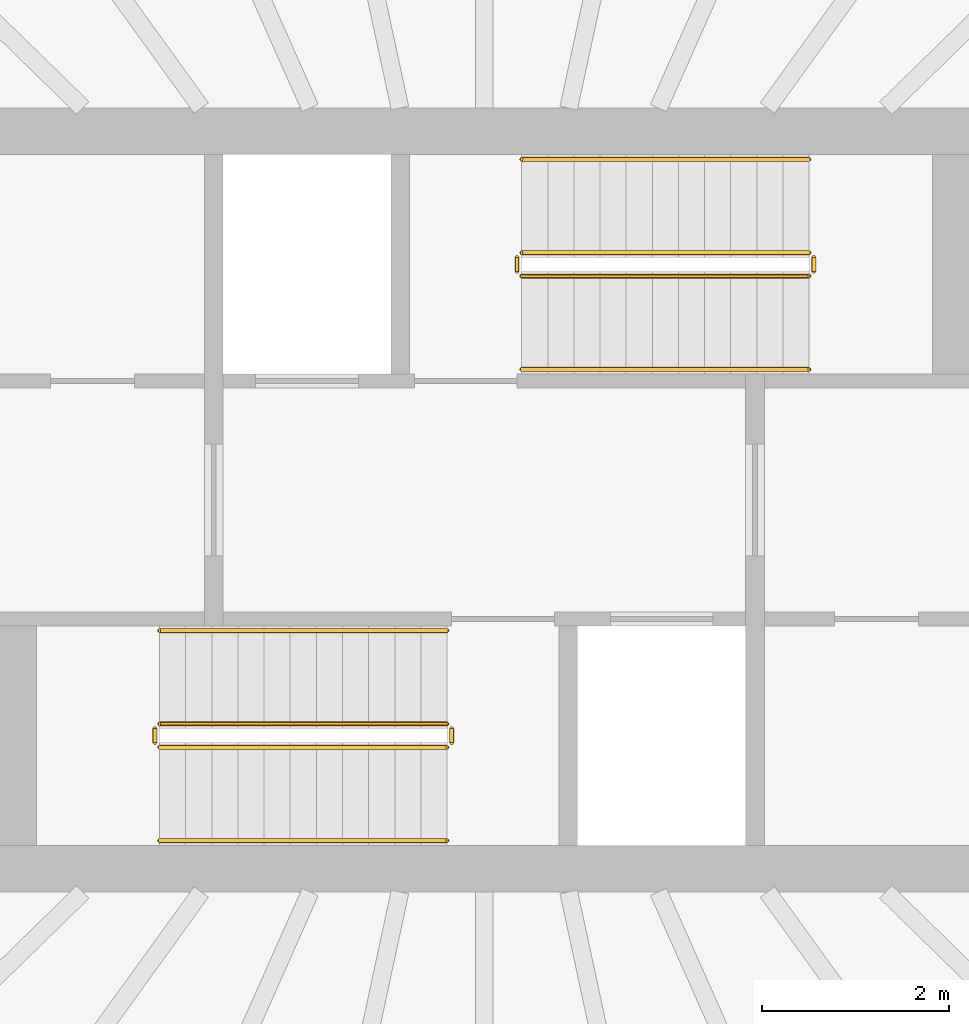
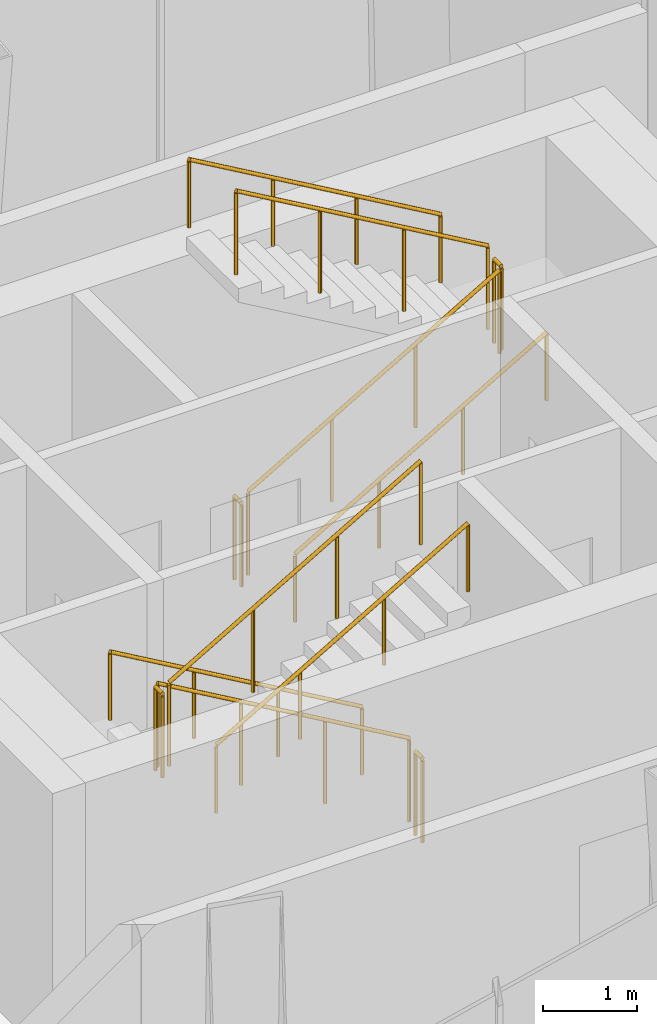
# One storey, part 5 of 5: 12 railings.
"""IFC4 building model written with IfcOpenShell, lengths in metres."""

from ifc_helpers import new_model, si_unit, direction, frame, origin, origin_2d, place, context, subcontext, project, spatial, circle, extrude, material, type_object, element, save


model = new_model("IFC4")

# Units and contexts
model_context = context("Model", 3, precision=1e-05, world=origin(), true_north=direction((0.0, 1.0)))
body_context = subcontext(model_context, "Body", "Model", "MODEL_VIEW")
ifc_project = project(units=[si_unit("LENGTHUNIT", "METRE"), si_unit("AREAUNIT", "SQUARE_METRE"), si_unit("VOLUMEUNIT", "CUBIC_METRE"), si_unit("PLANEANGLEUNIT", "RADIAN"), si_unit("MASSUNIT", "GRAM", prefix="KILO")], contexts=[model_context])

# Site, building, storey
site_placement = place(None, origin())
site = spatial("IfcSite", under=ifc_project, at=site_placement, CompositionType="ELEMENT")
building_placement = place(site_placement, origin())
building = spatial("IfcBuilding", under=site, at=building_placement, Name="Siaravel Broadcast Tower", CompositionType="ELEMENT")
storey_placement = place(building_placement, frame((0.0, 0.0, 288.199951171875)))
storey = spatial("IfcBuildingStorey", under=building, at=storey_placement, Name="L70", CompositionType="ELEMENT", Elevation=288.199951171875)

# Railings
ifc_material = material(Name="Stainless steel 316L", Category="steel")
railing_type_1 = type_object("IfcRailingType", Name="Stair guard 1100", PredefinedType="GUARDRAIL", material=ifc_material)
railing_1_placement = place(storey_placement, frame((0.39990234375, 2.39990234375, 0.16259765625)))
element("IfcRailing", 1, at=railing_1_placement, inside=storey, type_object=railing_type_1, Name="L70 ST-C1 stair guard 1", PredefinedType="GUARDRAIL", context=body_context, shape_type="SweptSolid", body=[
    extrude(circle(Radius=0.02392578125, at=origin_2d()), frame((0.0, 0.0, 1.076171875), z_axis=(0.864920483, 0.0, 0.501908914), x_axis=(0.0, 1.0, 0.0)), (0.0, 0.0, 1.0), 3.56103515625),
    extrude(circle(Radius=0.02099609375, at=origin_2d()), origin(), (0.0, 0.0, 1.0), 1.052001953125),
    extrude(circle(Radius=0.02099609375, at=origin_2d()), frame((1.026611328125, 0.0, 0.595703125)), (0.0, 0.0, 1.0), 1.052001953125),
    extrude(circle(Radius=0.02099609375, at=origin_2d()), frame((2.053466796875, 0.0, 1.191650390625)), (0.0, 0.0, 1.0), 1.052001953125),
    extrude(circle(Radius=0.02099609375, at=origin_2d()), frame((3.080078125, 0.0, 1.787353515625)), (0.0, 0.0, 1.0), 1.052001953125),
])
railing_2_placement = place(storey_placement, frame((3.530029296875, 2.449951171875, 1.949951171875)))
element("IfcRailing", 2, at=railing_2_placement, inside=storey, type_object=railing_type_1, Name="L70 ST-C1 stair guard 2", PredefinedType="GUARDRAIL", context=body_context, shape_type="SweptSolid", body=[
    extrude(circle(Radius=0.02392578125, at=origin_2d()), frame((0.0, 0.0, 1.076171875), z_axis=(0.0, 1.0, 0.0), x_axis=(-1.0, 0.0, 0.0)), (0.0, 0.0, 1.0), 0.150146484375),
    extrude(circle(Radius=0.02099609375, at=origin_2d()), origin(), (0.0, 0.0, 1.0), 1.052001953125),
    extrude(circle(Radius=0.02099609375, at=origin_2d()), frame((0.0, 0.150146484375, 0.0)), (0.0, 0.0, 1.0), 1.052001953125),
])
railing_3_placement = place(storey_placement, frame((3.47998046875, 2.64990234375, 2.112548828125)))
element("IfcRailing", 3, at=railing_3_placement, inside=storey, type_object=railing_type_1, Name="L70 ST-C1 stair guard 3", PredefinedType="GUARDRAIL", context=body_context, shape_type="SweptSolid", body=[
    extrude(circle(Radius=0.02392578125, at=origin_2d()), frame((0.0, 0.0, 1.076171875), z_axis=(-0.864890721, 0.0, 0.501960198), x_axis=(0.0, -1.0, 0.0)), (0.0, 0.0, 1.0), 3.561279296875),
    extrude(circle(Radius=0.02099609375, at=origin_2d()), origin(), (0.0, 0.0, 1.0), 1.052001953125),
    extrude(circle(Radius=0.02099609375, at=origin_2d()), frame((-1.026611328125, 0.0, 0.595947265625)), (0.0, 0.0, 1.0), 1.052001953125),
    extrude(circle(Radius=0.02099609375, at=origin_2d()), frame((-2.053466796875, 0.0, 1.191650390625)), (0.0, 0.0, 1.0), 1.052001953125),
    extrude(circle(Radius=0.02099609375, at=origin_2d()), frame((-3.080078125, 0.0, 1.78759765625)), (0.0, 0.0, 1.0), 1.052001953125),
])
railing_4_placement = place(storey_placement, frame((0.35009765625, 2.449951171875, 0.0)))
element("IfcRailing", 4, at=railing_4_placement, inside=storey, type_object=railing_type_1, Name="L70 ST-C1 stair guard 4", PredefinedType="GUARDRAIL", context=body_context, shape_type="SweptSolid", body=[
    extrude(circle(Radius=0.02392578125, at=origin_2d()), frame((0.0, 0.0, 1.076171875), z_axis=(0.0, 1.0, 0.0), x_axis=(-1.0, 0.0, 0.0)), (0.0, 0.0, 1.0), 0.150146484375),
    extrude(circle(Radius=0.02099609375, at=origin_2d()), origin(), (0.0, 0.0, 1.0), 1.052001953125),
    extrude(circle(Radius=0.02099609375, at=origin_2d()), frame((0.0, 0.150146484375, 0.0)), (0.0, 0.0, 1.0), 1.052001953125),
])
railing_5_placement = place(storey_placement, frame((-0.39990234375, -2.39990234375, 0.16259765625)))
element("IfcRailing", 5, at=railing_5_placement, inside=storey, type_object=railing_type_1, Name="L70 ST-C2 stair guard 1", PredefinedType="GUARDRAIL", context=body_context, shape_type="SweptSolid", body=[
    extrude(circle(Radius=0.02392578125, at=origin_2d()), frame((0.0, 0.0, 1.076171875), z_axis=(-0.864920483, 0.0, 0.501908914), x_axis=(0.0, -1.0, 0.0)), (0.0, 0.0, 1.0), 3.56103515625),
    extrude(circle(Radius=0.02099609375, at=origin_2d()), origin(), (0.0, 0.0, 1.0), 1.052001953125),
    extrude(circle(Radius=0.02099609375, at=origin_2d()), frame((-1.026611328125, 0.0, 0.595703125)), (0.0, 0.0, 1.0), 1.052001953125),
    extrude(circle(Radius=0.02099609375, at=origin_2d()), frame((-2.053466796875, 0.0, 1.191650390625)), (0.0, 0.0, 1.0), 1.052001953125),
    extrude(circle(Radius=0.02099609375, at=origin_2d()), frame((-3.080078125, 0.0, 1.787353515625)), (0.0, 0.0, 1.0), 1.052001953125),
])
railing_6_placement = place(storey_placement, frame((-3.530029296875, -2.449951171875, 1.949951171875)))
element("IfcRailing", 6, at=railing_6_placement, inside=storey, type_object=railing_type_1, Name="L70 ST-C2 stair guard 2", PredefinedType="GUARDRAIL", context=body_context, shape_type="SweptSolid", body=[
    extrude(circle(Radius=0.02392578125, at=origin_2d()), frame((0.0, 0.0, 1.076171875), z_axis=(0.0, -1.0, 0.0), x_axis=(1.0, 0.0, 0.0)), (0.0, 0.0, 1.0), 0.150146484375),
    extrude(circle(Radius=0.02099609375, at=origin_2d()), origin(), (0.0, 0.0, 1.0), 1.052001953125),
    extrude(circle(Radius=0.02099609375, at=origin_2d()), frame((0.0, -0.150146484375, 0.0)), (0.0, 0.0, 1.0), 1.052001953125),
])
railing_7_placement = place(storey_placement, frame((-3.47998046875, -2.64990234375, 2.112548828125)))
element("IfcRailing", 7, at=railing_7_placement, inside=storey, type_object=railing_type_1, Name="L70 ST-C2 stair guard 3", PredefinedType="GUARDRAIL", context=body_context, shape_type="SweptSolid", body=[
    extrude(circle(Radius=0.02392578125, at=origin_2d()), frame((0.0, 0.0, 1.076171875), z_axis=(0.864890721, 0.0, 0.501960198), x_axis=(0.0, 1.0, 0.0)), (0.0, 0.0, 1.0), 3.561279296875),
    extrude(circle(Radius=0.02099609375, at=origin_2d()), origin(), (0.0, 0.0, 1.0), 1.052001953125),
    extrude(circle(Radius=0.02099609375, at=origin_2d()), frame((1.026611328125, 0.0, 0.595947265625)), (0.0, 0.0, 1.0), 1.052001953125),
    extrude(circle(Radius=0.02099609375, at=origin_2d()), frame((2.053466796875, 0.0, 1.191650390625)), (0.0, 0.0, 1.0), 1.052001953125),
    extrude(circle(Radius=0.02099609375, at=origin_2d()), frame((3.080078125, 0.0, 1.78759765625)), (0.0, 0.0, 1.0), 1.052001953125),
])
railing_8_placement = place(storey_placement, frame((-0.35009765625, -2.449951171875, 0.0)))
element("IfcRailing", 8, at=railing_8_placement, inside=storey, type_object=railing_type_1, Name="L70 ST-C2 stair guard 4", PredefinedType="GUARDRAIL", context=body_context, shape_type="SweptSolid", body=[
    extrude(circle(Radius=0.02392578125, at=origin_2d()), frame((0.0, 0.0, 1.076171875), z_axis=(0.0, -1.0, 0.0), x_axis=(1.0, 0.0, 0.0)), (0.0, 0.0, 1.0), 0.150146484375),
    extrude(circle(Radius=0.02099609375, at=origin_2d()), origin(), (0.0, 0.0, 1.0), 1.052001953125),
    extrude(circle(Radius=0.02099609375, at=origin_2d()), frame((0.0, -0.150146484375, 0.0)), (0.0, 0.0, 1.0), 1.052001953125),
])
railing_type_2 = type_object("IfcRailingType", Name="Stair handrail 900", PredefinedType="HANDRAIL", material=ifc_material)
railing_9_placement = place(storey_placement, frame((0.39990234375, 1.39990234375, 0.16259765625)))
element("IfcRailing", 9, at=railing_9_placement, inside=storey, type_object=railing_type_2, Name="L70 ST-C1 stair handrail 1", PredefinedType="HANDRAIL", context=body_context, shape_type="SweptSolid", body=[
    extrude(circle(Radius=0.02392578125, at=origin_2d()), frame((0.0, 0.0, 0.8759765625), z_axis=(0.864920483, 0.0, 0.501908914), x_axis=(0.0, 1.0, 0.0)), (0.0, 0.0, 1.0), 3.56103515625),
    extrude(circle(Radius=0.02099609375, at=origin_2d()), origin(), (0.0, 0.0, 1.0), 0.851806640625),
    extrude(circle(Radius=0.02099609375, at=origin_2d()), frame((1.026611328125, 0.0, 0.595703125)), (0.0, 0.0, 1.0), 0.851806640625),
    extrude(circle(Radius=0.02099609375, at=origin_2d()), frame((2.053466796875, 0.0, 1.191650390625)), (0.0, 0.0, 1.0), 0.851806640625),
    extrude(circle(Radius=0.02099609375, at=origin_2d()), frame((3.080078125, 0.0, 1.787353515625)), (0.0, 0.0, 1.0), 0.851806640625),
])
railing_10_placement = place(storey_placement, frame((3.47998046875, 3.64990234375, 2.112548828125)))
element("IfcRailing", 10, at=railing_10_placement, inside=storey, type_object=railing_type_2, Name="L70 ST-C1 stair handrail 2", PredefinedType="HANDRAIL", context=body_context, shape_type="SweptSolid", body=[
    extrude(circle(Radius=0.02392578125, at=origin_2d()), frame((0.0, 0.0, 0.8759765625), z_axis=(-0.864890721, 0.0, 0.501960198), x_axis=(0.0, -1.0, 0.0)), (0.0, 0.0, 1.0), 3.561279296875),
    extrude(circle(Radius=0.02099609375, at=origin_2d()), origin(), (0.0, 0.0, 1.0), 0.851806640625),
    extrude(circle(Radius=0.02099609375, at=origin_2d()), frame((-1.026611328125, 0.0, 0.595947265625)), (0.0, 0.0, 1.0), 0.851806640625),
    extrude(circle(Radius=0.02099609375, at=origin_2d()), frame((-2.053466796875, 0.0, 1.191650390625)), (0.0, 0.0, 1.0), 0.851806640625),
    extrude(circle(Radius=0.02099609375, at=origin_2d()), frame((-3.080078125, 0.0, 1.78759765625)), (0.0, 0.0, 1.0), 0.851806640625),
])
railing_11_placement = place(storey_placement, frame((-0.39990234375, -1.39990234375, 0.16259765625)))
element("IfcRailing", 11, at=railing_11_placement, inside=storey, type_object=railing_type_2, Name="L70 ST-C2 stair handrail 1", PredefinedType="HANDRAIL", context=body_context, shape_type="SweptSolid", body=[
    extrude(circle(Radius=0.02392578125, at=origin_2d()), frame((0.0, 0.0, 0.8759765625), z_axis=(-0.864920483, 0.0, 0.501908914), x_axis=(0.0, -1.0, 0.0)), (0.0, 0.0, 1.0), 3.56103515625),
    extrude(circle(Radius=0.02099609375, at=origin_2d()), origin(), (0.0, 0.0, 1.0), 0.851806640625),
    extrude(circle(Radius=0.02099609375, at=origin_2d()), frame((-1.026611328125, 0.0, 0.595703125)), (0.0, 0.0, 1.0), 0.851806640625),
    extrude(circle(Radius=0.02099609375, at=origin_2d()), frame((-2.053466796875, 0.0, 1.191650390625)), (0.0, 0.0, 1.0), 0.851806640625),
    extrude(circle(Radius=0.02099609375, at=origin_2d()), frame((-3.080078125, 0.0, 1.787353515625)), (0.0, 0.0, 1.0), 0.851806640625),
])
railing_12_placement = place(storey_placement, frame((-3.47998046875, -3.64990234375, 2.112548828125)))
element("IfcRailing", 12, at=railing_12_placement, inside=storey, type_object=railing_type_2, Name="L70 ST-C2 stair handrail 2", PredefinedType="HANDRAIL", context=body_context, shape_type="SweptSolid", body=[
    extrude(circle(Radius=0.02392578125, at=origin_2d()), frame((0.0, 0.0, 0.8759765625), z_axis=(0.864890721, 0.0, 0.501960198), x_axis=(0.0, 1.0, 0.0)), (0.0, 0.0, 1.0), 3.561279296875),
    extrude(circle(Radius=0.02099609375, at=origin_2d()), origin(), (0.0, 0.0, 1.0), 0.851806640625),
    extrude(circle(Radius=0.02099609375, at=origin_2d()), frame((1.026611328125, 0.0, 0.595947265625)), (0.0, 0.0, 1.0), 0.851806640625),
    extrude(circle(Radius=0.02099609375, at=origin_2d()), frame((2.053466796875, 0.0, 1.191650390625)), (0.0, 0.0, 1.0), 0.851806640625),
    extrude(circle(Radius=0.02099609375, at=origin_2d()), frame((3.080078125, 0.0, 1.78759765625)), (0.0, 0.0, 1.0), 0.851806640625),
])

save(model, "model.ifc")
